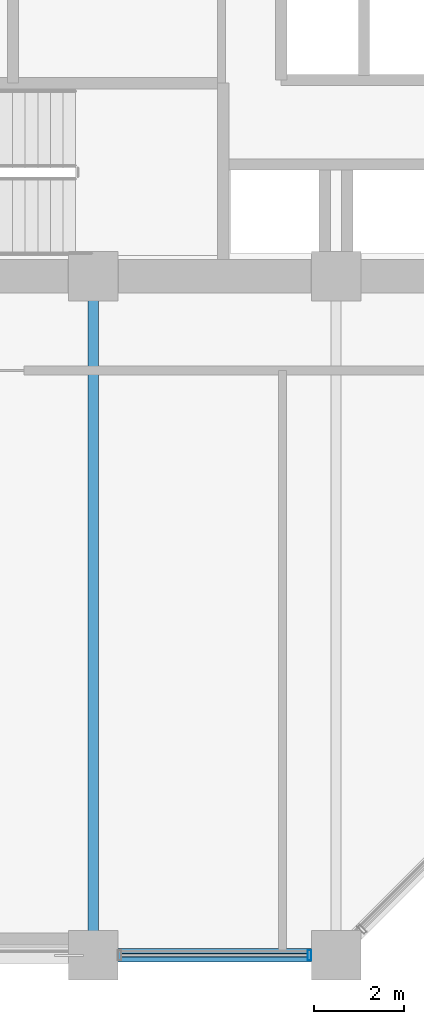
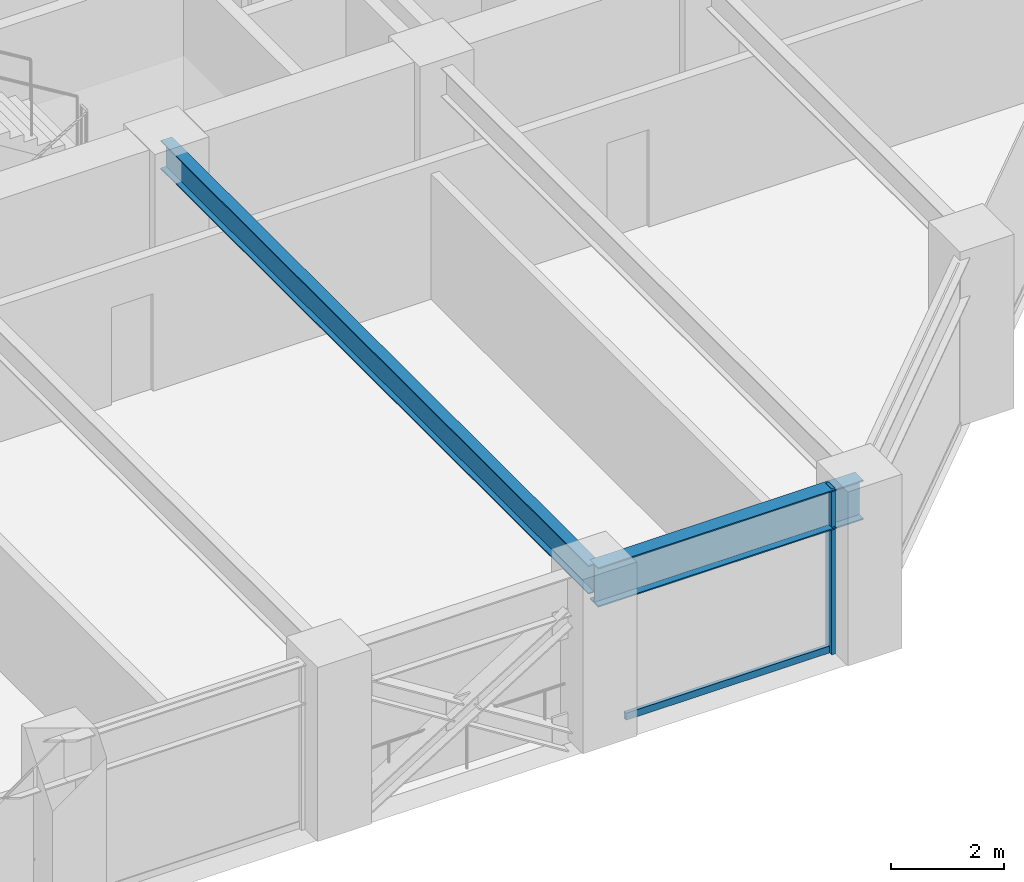
# One storey, part 6 of 30: 2 beams, 2 members, 1 element without a shape of its own.
"""IFC4 building model written with IfcOpenShell, lengths in metres."""

from ifc_helpers import new_model, si_unit, direction, frame, origin, origin_2d, place, context, subcontext, project, spatial, hollow_rectangle, i_section, extrude, material, layer, layer_set, material_profile, profile_set, type_object, element, aggregate, save


model = new_model("IFC4")

# Units and contexts
model_context = context("Model", 3, precision=1e-05, world=origin(), true_north=direction((0.0, 1.0)))
body_context = subcontext(model_context, "Body", "Model", "MODEL_VIEW")
ifc_project = project(units=[si_unit("LENGTHUNIT", "METRE"), si_unit("AREAUNIT", "SQUARE_METRE"), si_unit("VOLUMEUNIT", "CUBIC_METRE"), si_unit("PLANEANGLEUNIT", "RADIAN"), si_unit("MASSUNIT", "GRAM", prefix="KILO")], contexts=[model_context])

# Site, building, storey
site_placement = place(None, origin())
site = spatial("IfcSite", under=ifc_project, at=site_placement, CompositionType="ELEMENT")
building_placement = place(site_placement, origin())
building = spatial("IfcBuilding", under=site, at=building_placement, Name="Surkhivell Harbour Commons", CompositionType="ELEMENT")
storey_placement = place(building_placement, frame((0.0, 0.0, 83.25)))
storey = spatial("IfcBuildingStorey", under=building, at=storey_placement, Name="L21", CompositionType="ELEMENT", Elevation=83.25)

# Beams
ifc_material_1 = material(Name="Steel S355", Category="steel")
ifc_material_profile_1 = material_profile(ifc_material_1, i_section(OverallWidth=0.22998046875, OverallDepth=0.616943359375, WebThickness=0.01318359375, FlangeThickness=0.022216796875, at=origin_2d()), Name="UB610x229x140")
ifc_profile_set_1 = profile_set([ifc_material_profile_1], Name="Steel S355")
beam_type_1 = type_object("IfcBeamType", Name="BM-GRD-610B", PredefinedType="BEAM", material=ifc_profile_set_1)
beam_1_placement = place(storey_placement, frame((-5.39990234375, -25.89990234375, 3.261474609375), z_axis=(0.0, 1.0, 0.0), x_axis=(-1.0, 0.0, 0.0)))
element("IfcBeam", 1, at=beam_1_placement, inside=storey, type_object=beam_type_1, Name="L21 Floor Girder (-5.4,-25.9)", PredefinedType="BEAM", context=body_context, shape_type="SweptSolid", body=[
    extrude(i_section(OverallWidth=0.22998046875, OverallDepth=0.616943359375, WebThickness=0.01318359375, FlangeThickness=0.022216796875, at=origin_2d()), origin(), (0.0, 0.0, 1.0), 15.099853515625),
])
ifc_material_2 = material(Name="Steel S460", Category="steel")
ifc_material_profile_2 = material_profile(ifc_material_2, i_section(OverallWidth=0.2939453125, OverallDepth=0.85107421875, WebThickness=0.01611328125, FlangeThickness=0.02685546875, at=origin_2d()), Name="UB838x292x226")
ifc_profile_set_2 = profile_set([ifc_material_profile_2], Name="Steel S460")
beam_type_2 = type_object("IfcBeamType", Name="BM-SPN-838", PredefinedType="SPANDREL", material=ifc_profile_set_2)
beam_2_placement = place(storey_placement, frame((-5.39990234375, -25.89990234375, 3.14453125), z_axis=(1.0, 0.0, 0.0), x_axis=(0.0, 1.0, 0.0)))
element("IfcBeam", 2, at=beam_2_placement, inside=storey, type_object=beam_type_2, Name="L21 Tube Spandrel (-5.4,-25.9)", PredefinedType="SPANDREL", context=body_context, shape_type="SweptSolid", body=[
    extrude(i_section(OverallWidth=0.2939453125, OverallDepth=0.85107421875, WebThickness=0.01611328125, FlangeThickness=0.02685546875, at=origin_2d()), origin(), (0.0, 0.0, 1.0), 5.39990234375),
])

# Curtain wall, members
ifc_material_3 = material(Name="Anodised pale-metal aluminium and insulated glazing", Category="aluminium")
ifc_layer = layer(ifc_material_3, 0.205078125)
ifc_layer_set = layer_set([ifc_layer], Name="Anodised pale-metal aluminium and insulated glazing")
curtain_wall_type = type_object("IfcCurtainWallType", Name="CW-SYS-Z2", PredefinedType="NOTDEFINED", material=ifc_layer_set)
curtain_wall_placement = place(storey_placement, origin())
curtain_wall = element("IfcCurtainWall", 3, at=curtain_wall_placement, inside=storey, type_object=curtain_wall_type, Name="L21 Curtain Wall CW-L21-E00S2", PredefinedType="NOTDEFINED")
ifc_material_4 = material(Name="Anodised pale-metal aluminium alloy 6063-T6", Category="aluminium")
ifc_material_profile_3 = material_profile(ifc_material_4, hollow_rectangle(XDim=0.074951171875, YDim=0.219970703125, WallThickness=0.00390625, at=origin_2d()), Name="ALU-MULL-75x220")
ifc_profile_set_3 = profile_set([ifc_material_profile_3], Name="Anodised pale-metal aluminium alloy 6063-T6")
member_type_1 = type_object("IfcMemberType", Name="CWM-220", PredefinedType="MULLION", material=ifc_profile_set_3)
member_1_placement = place(storey_placement, frame((-0.589599609375, -25.89990234375, 0.0), z_axis=(0.0, 0.0, 1.0), x_axis=(1.0, 0.0, 0.0)))
member_1 = element("IfcMember", 4, at=member_1_placement, type_object=member_type_1, Name="CW-Z2 mullion 2", PredefinedType="MULLION", context=body_context, shape_type="SweptSolid", body=[
    extrude(hollow_rectangle(XDim=0.074951171875, YDim=0.219970703125, WallThickness=0.00390625, at=origin_2d()), origin(), (0.0, 0.0, 1.0), 3.570068359375),
])
ifc_material_profile_4 = material_profile(ifc_material_4, hollow_rectangle(XDim=0.074951171875, YDim=0.14990234375, WallThickness=0.00341796875, at=origin_2d()), Name="ALU-TRAN-75x150")
ifc_profile_set_4 = profile_set([ifc_material_profile_4], Name="Anodised pale-metal aluminium alloy 6063-T6")
member_type_2 = type_object("IfcMemberType", Name="CWT-150", PredefinedType="USERDEFINED", material=ifc_profile_set_4)
member_2_placement = place(storey_placement, frame((-4.77294921875, -25.89990234375, 0.074951171875), z_axis=(1.0, 0.0, 0.0), x_axis=(0.0, 1.0, 0.0)))
member_2 = element("IfcMember", 5, at=member_2_placement, type_object=member_type_2, Name="CW-Z2 transom 1.1", ObjectType="TRANSOM", PredefinedType="USERDEFINED", context=body_context, shape_type="SweptSolid", body=[
    extrude(hollow_rectangle(XDim=0.074951171875, YDim=0.14990234375, WallThickness=0.00341796875, at=origin_2d()), origin(), (0.0, 0.0, 1.0), 4.14599609375),
])
aggregate(curtain_wall, [member_1, member_2])

save(model, "model.ifc")
